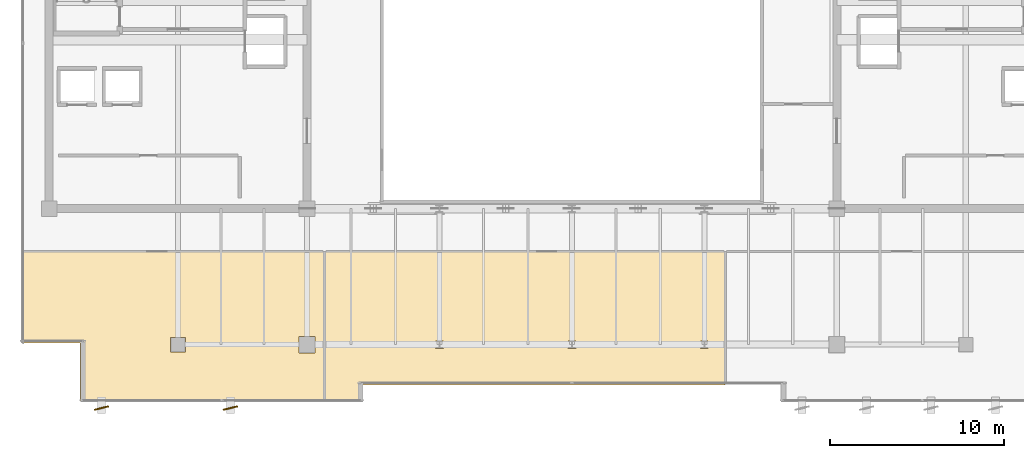
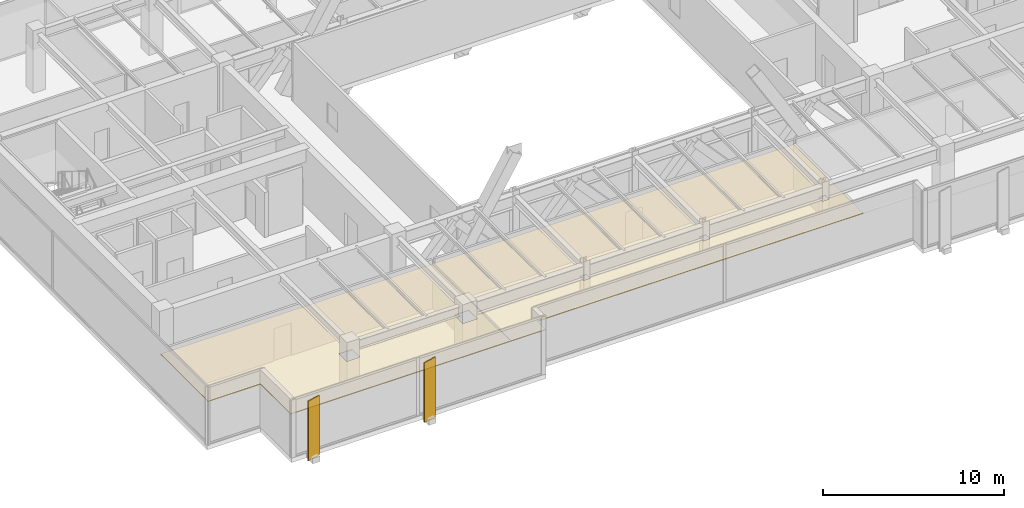
# One storey, part 29 of 32: 2 coverings, 2 shading devices.
"""IFC4 building model written with IfcOpenShell, lengths in metres."""

import ifcopenshell
import ifcopenshell.guid

model = None  # the IFC model being written
_history = None  # IfcOwnerHistory: only IFC2X3 demands one
_inside = {}  # id of a spatial element -> (the spatial element, [elements in it])
_under = {}  # id of a project, library or spatial element -> (it, [spatial elements below it])
_declared = {}  # id of a project -> (the project, [libraries it declares])
_typed = {}  # id of a type object -> (the type object, [elements of that type])
_made_of = {}  # id of a material, layer set ... -> (it, [elements and type objects made of it])


def new_model(schema):
    """Start an empty IFC model of exactly this schema.

    Asked for "IFC4X3", IfcOpenShell would pick the latest addendum, in which some entities
    have other attributes; the version numbers below select the first issue.
    IFC2X3 requires an IfcOwnerHistory on every rooted entity: one is made here for all.
    """
    global model, _history
    if schema == "IFC4X3":
        model = ifcopenshell.file(schema_version=(4, 3, 0, 0))
    else:
        model = ifcopenshell.file(schema=schema)
    _inside.clear()
    _under.clear()
    _declared.clear()
    _typed.clear()
    _made_of.clear()
    _history = None
    if model.schema == "IFC2X3":
        org = make("IfcOrganization", Name="unknown")
        user = make(
            "IfcPersonAndOrganization",
            ThePerson=make("IfcPerson", FamilyName="unknown"),
            TheOrganization=org,
        )
        app = make(
            "IfcApplication",
            ApplicationDeveloper=org,
            Version="unknown",
            ApplicationFullName="unknown",
            ApplicationIdentifier="unknown",
        )
        _history = make(
            "IfcOwnerHistory",
            OwningUser=user,
            OwningApplication=app,
            ChangeAction="ADDED",
            CreationDate=0,
        )
    return model


def make(cls, **values):
    """One entity of the class cls with the attributes given. An attribute that is None is left unset."""
    return model.create_entity(
        cls, **{name: value for name, value in values.items() if value is not None}
    )


def rooted(cls, **values):
    """An entity with a GlobalId (a new one), such as an element, a storey or a relation."""
    return make(cls, GlobalId=ifcopenshell.guid.new(), OwnerHistory=_history, **values)


def si_unit(unit_type, name, prefix=None):
    """IfcSIUnit, for example si_unit("LENGTHUNIT", "METRE", prefix="MILLI")."""
    return make("IfcSIUnit", UnitType=unit_type, Prefix=prefix, Name=name)


def assignment(units):
    """IfcUnitAssignment: the units of a project."""
    return None if units is None else make("IfcUnitAssignment", Units=units)


def point(xyz):
    """IfcCartesianPoint."""
    return None if xyz is None else make("IfcCartesianPoint", Coordinates=xyz)


def direction(xyz):
    """IfcDirection."""
    return None if xyz is None else make("IfcDirection", DirectionRatios=xyz)


def frame(location, z_axis=None, x_axis=None):
    """IfcAxis2Placement3D, a coordinate frame: its origin and axes. An axis left out is left unset."""
    return make(
        "IfcAxis2Placement3D",
        Location=point(location),
        Axis=direction(z_axis),
        RefDirection=direction(x_axis),
    )


def frame_2d(location, x_axis=None):
    """IfcAxis2Placement2D, a coordinate frame in the plane: its origin and x axis."""
    return make(
        "IfcAxis2Placement2D", Location=point(location), RefDirection=direction(x_axis)
    )


def origin():
    """The frame at (0, 0, 0) with its axes left unset."""
    return frame((0.0, 0.0, 0.0))


def origin_2d():
    """The frame at (0, 0) in the plane with its x axis left unset."""
    return frame_2d((0.0, 0.0))


def place(relative_to, where):
    """IfcLocalPlacement: puts the frame where relative to a parent placement (None: the world)."""
    return make(
        "IfcLocalPlacement", PlacementRelTo=relative_to, RelativePlacement=where
    )


def context(
    kind, dimensions, precision=None, world=None, true_north=None, identifier=None
):
    """IfcGeometricRepresentationContext, for example the 3D "Model" context."""
    return make(
        "IfcGeometricRepresentationContext",
        ContextIdentifier=identifier,
        ContextType=kind,
        CoordinateSpaceDimension=dimensions,
        Precision=precision,
        WorldCoordinateSystem=world,
        TrueNorth=true_north,
    )


def subcontext(parent, identifier, kind, view, scale=None):
    """IfcGeometricRepresentationSubContext, for example "Body" below "Model"."""
    return make(
        "IfcGeometricRepresentationSubContext",
        ContextIdentifier=identifier,
        ContextType=kind,
        ParentContext=parent,
        TargetScale=scale,
        TargetView=view,
    )


def project(units=None, contexts=None):
    """IfcProject with its units and contexts."""
    return rooted(
        "IfcProject",
        Name="project",
        RepresentationContexts=contexts,
        UnitsInContext=assignment(units),
    )


def spatial(cls, under=None, at=None, **own):
    """A site, building, storey or space (cls), placed at a placement, below another one or the project."""
    s = rooted(cls, ObjectPlacement=at, **own)
    if under is not None:
        _under.setdefault(under.id(), (under, []))[1].append(s)
    return s


def polyline(points):
    """IfcPolyline through the points."""
    return make("IfcPolyline", Points=[point(p) for p in points])


def profile(cls, at=None, kind="AREA", **sizes):
    """A parametric profile (cls). Its sizes go by their IFC names, for example OverallWidth=200.0."""
    return make(cls, ProfileType=kind, Position=at, **sizes)


def rectangle(**sizes):
    """IfcRectangleProfileDef."""
    return profile("IfcRectangleProfileDef", **sizes)


def outline(outer, holes=None, kind="AREA"):
    """IfcArbitraryClosedProfileDef: a profile drawn as a closed curve; with holes, ...WithVoids."""
    if holes is None:
        return make("IfcArbitraryClosedProfileDef", ProfileType=kind, OuterCurve=outer)
    return make(
        "IfcArbitraryProfileDefWithVoids",
        ProfileType=kind,
        OuterCurve=outer,
        InnerCurves=holes,
    )


def extrude(swept, where, along, depth):
    """IfcExtrudedAreaSolid: the profile swept, set in the frame where, extruded along a direction by depth."""
    return make(
        "IfcExtrudedAreaSolid",
        SweptArea=swept,
        Position=where,
        ExtrudedDirection=direction(along),
        Depth=depth,
    )


def shape(context_of_items, identifier, shape_type, items):
    """IfcShapeRepresentation: the items that make up one representation, for example the "Body"."""
    return make(
        "IfcShapeRepresentation",
        ContextOfItems=context_of_items,
        RepresentationIdentifier=identifier,
        RepresentationType=shape_type,
        Items=items,
    )


def source(mapping_origin, context_of_items, identifier, shape_type, items):
    """IfcRepresentationMap: a shape defined once, which mapped items show again and again."""
    return make(
        "IfcRepresentationMap",
        MappingOrigin=mapping_origin,
        MappedRepresentation=shape(context_of_items, identifier, shape_type, items),
    )


def transform(
    local_origin,
    x_axis=None,
    y_axis=None,
    z_axis=None,
    scale=None,
    scale2=None,
    scale3=None,
    uniform=True,
):
    """IfcCartesianTransformationOperator3D, or its non-uniform kind. x_axis, y_axis, z_axis: its Axis1, 2, 3."""
    if uniform:
        return make(
            "IfcCartesianTransformationOperator3D",
            Axis1=direction(x_axis),
            Axis2=direction(y_axis),
            LocalOrigin=point(local_origin),
            Scale=scale,
            Axis3=direction(z_axis),
        )
    return make(
        "IfcCartesianTransformationOperator3DnonUniform",
        Axis1=direction(x_axis),
        Axis2=direction(y_axis),
        LocalOrigin=point(local_origin),
        Scale=scale,
        Axis3=direction(z_axis),
        Scale2=scale2,
        Scale3=scale3,
    )


def mapped(mapping_source, mapping_target):
    """IfcMappedItem: shows the shape of a source again, moved by a transform."""
    return make(
        "IfcMappedItem", MappingSource=mapping_source, MappingTarget=mapping_target
    )


def material(Name=None, Category=None):
    """IfcMaterial."""
    return make("IfcMaterial", Name=Name, Category=Category)


def layer(
    of_material, thickness, ventilated=None, Name=None, Category=None, Priority=None
):
    """IfcMaterialLayer: one layer of a wall or slab, of a material (None: an air gap)."""
    return make(
        "IfcMaterialLayer",
        Material=of_material,
        LayerThickness=thickness,
        IsVentilated=ventilated,
        Name=Name,
        Category=Category,
        Priority=Priority,
    )


def layer_set(layers, Name=None):
    """IfcMaterialLayerSet."""
    return make("IfcMaterialLayerSet", MaterialLayers=layers, LayerSetName=Name)


def material_profile(
    of_material, cross_section, Name=None, Category=None, Priority=None
):
    """IfcMaterialProfile: a cross section and its material."""
    return make(
        "IfcMaterialProfile",
        Name=Name,
        Material=of_material,
        Profile=cross_section,
        Priority=Priority,
        Category=Category,
    )


def profile_set(profiles, Name=None, composite=None):
    """IfcMaterialProfileSet."""
    return make(
        "IfcMaterialProfileSet",
        Name=Name,
        MaterialProfiles=profiles,
        CompositeProfile=composite,
    )


def made_of(thing, what):
    """Note that an element or type object is made of a material, layer set ...; save() writes the relation."""
    if what is not None:
        _made_of.setdefault(what.id(), (what, []))[1].append(thing)
    return thing


def type_object(cls, material=None, **own):
    """A type object (cls), such as IfcWallType, which elements share."""
    return made_of(rooted(cls, **own), material)


def type_shapes(of_type, sources):
    """Give a type object the sources (RepresentationMaps) that its elements show as mapped items."""
    of_type.RepresentationMaps = sources


def element(
    cls,
    number,
    at=None,
    inside=None,
    cuts=None,
    type_object=None,
    material=None,
    context=None,
    identifier="Body",
    shape_type=None,
    held_by="IfcProductDefinitionShape",
    body=None,
    shapes=None,
    **own,
):
    """One element of the class cls, such as IfcWall. Its Tag is "e" and its number.

    at: its placement. inside: the storey or other place that contains it. cuts: it is an
    opening in that element (IfcRelVoidsElement). A single representation is given by context,
    identifier, shape_type and body (its items); several are given by shapes. held_by: the class
    of the entity that holds the representations. save() writes the other relations.
    """
    e = rooted(cls, Tag="e%d" % number, ObjectPlacement=at, **own)
    if body is not None:
        shapes = [shape(context, identifier, shape_type, body)]
    if shapes is not None:
        e.Representation = make(held_by, Representations=shapes)
    if inside is not None:
        _inside.setdefault(inside.id(), (inside, []))[1].append(e)
    if cuts is not None:
        rooted(
            "IfcRelVoidsElement", RelatingBuildingElement=cuts, RelatedOpeningElement=e
        )
    if type_object is not None:
        _typed.setdefault(type_object.id(), (type_object, []))[1].append(e)
    return made_of(e, material)


def aggregate(whole, parts):
    """IfcRelAggregates: a whole, such as a stair, and the parts it consists of."""
    return rooted("IfcRelAggregates", RelatingObject=whole, RelatedObjects=parts)


def save(model, path):
    """Write the relations noted so far, then the file.

    IfcRelAggregates (storeys below a building ...), IfcRelContainedInSpatialStructure (elements
    in a storey), IfcRelDefinesByType, IfcRelAssociatesMaterial and IfcRelDeclares: one each for
    every whole, place, type object, material and project.
    """
    for whole, parts in _under.values():
        aggregate(whole, parts)
    for where, things in _inside.values():
        rooted(
            "IfcRelContainedInSpatialStructure",
            RelatedElements=things,
            RelatingStructure=where,
        )
    for kind, things in _typed.values():
        rooted("IfcRelDefinesByType", RelatedObjects=things, RelatingType=kind)
    for what, things in _made_of.values():
        rooted("IfcRelAssociatesMaterial", RelatedObjects=things, RelatingMaterial=what)
    for by, libraries in _declared.values():
        rooted("IfcRelDeclares", RelatingContext=by, RelatedDefinitions=libraries)
    model.write(path)


model = new_model("IFC4")

# Units and contexts
model_context = context("Model", 3, precision=1e-05, world=origin(), true_north=direction((0.0, 1.0)))
body_context = subcontext(model_context, "Body", "Model", "MODEL_VIEW")
ifc_project = project(units=[si_unit("LENGTHUNIT", "METRE"), si_unit("AREAUNIT", "SQUARE_METRE"), si_unit("VOLUMEUNIT", "CUBIC_METRE"), si_unit("PLANEANGLEUNIT", "RADIAN"), si_unit("MASSUNIT", "GRAM", prefix="KILO")], contexts=[model_context])

# Site, building, storey
site_placement = place(None, origin())
site = spatial("IfcSite", under=ifc_project, at=site_placement, CompositionType="ELEMENT")
building_placement = place(site_placement, origin())
building = spatial("IfcBuilding", under=site, at=building_placement, Name="Haelvirn Gate Laboratories", CompositionType="ELEMENT")
storey_placement = place(building_placement, frame((0.0, 0.0, 306.0)))
storey = spatial("IfcBuildingStorey", under=building, at=storey_placement, Name="L73", CompositionType="ELEMENT", Elevation=306.0)

# Coverings
ifc_material_1 = material(Name="Washable cleanroom gasketed aluminium ceiling", Category="aluminium")
ifc_layer = layer(ifc_material_1, 0.050048828125, Name="COV-CEIL-CLN")
ifc_layer_set = layer_set([ifc_layer], Name="Washable cleanroom gasketed aluminium ceiling")
covering_type = type_object("IfcCoveringType", Name="COV-CEIL-CLN", PredefinedType="CEILING", material=ifc_layer_set)
covering_1_placement = place(storey_placement, frame((0.0, 0.0, 2.919921875)))
element("IfcCovering", 1, at=covering_1_placement, inside=storey, type_object=covering_type, Name="L73 Laboratory Acoustic Ceiling CEIL-SP-L73-S-01", PredefinedType="CEILING", context=body_context, shape_type="SweptSolid", body=[
    extrude(outline(polyline([(5.85009765625, 7.080078125), (5.85009765625, 12.330078125), (23.179931640625, 12.330078125), (23.179931640625, 3.75), (9.179931640625, 3.75), (9.179931640625, 7.080078125), (5.85009765625, 7.080078125)]), holes=[polyline([(14.3798828125, 7.419921875), (14.3798828125, 6.580078125), (15.219970703125, 6.580078125), (15.219970703125, 7.419921875), (14.3798828125, 7.419921875)]), polyline([(22.669921875, 7.469970703125), (21.72998046875, 7.469970703125), (21.72998046875, 6.530029296875), (22.669921875, 6.530029296875), (22.669921875, 7.469970703125)])]), origin(), (0.0, 0.0, 1.0), 0.050048828125),
])
covering_2_placement = place(storey_placement, frame((0.0, 0.0, 2.919921875)))
element("IfcCovering", 2, at=covering_2_placement, inside=storey, type_object=covering_type, Name="L73 Laboratory Acoustic Ceiling CEIL-SP-L73-S-02", PredefinedType="CEILING", context=body_context, shape_type="SweptSolid", body=[
    extrude(outline(polyline([(23.219970703125, 12.330078125), (46.179931640625, 12.330078125), (46.179931640625, 4.679931640625), (25.419921875, 4.679931640625), (25.419921875, 3.75), (23.219970703125, 3.75), (23.219970703125, 12.330078125)]), holes=[polyline([(29.580078125, 6.780029296875), (30.02001953125, 6.780029296875), (30.02001953125, 7.219970703125), (29.580078125, 7.219970703125), (29.580078125, 6.780029296875)]), polyline([(37.179931640625, 7.219970703125), (37.179931640625, 6.780029296875), (37.6201171875, 6.780029296875), (37.6201171875, 7.219970703125), (37.179931640625, 7.219970703125)]), polyline([(45.219970703125, 7.219970703125), (44.780029296875, 7.219970703125), (44.780029296875, 6.780029296875), (45.219970703125, 6.780029296875), (45.219970703125, 7.219970703125)])]), origin(), (0.0, 0.0, 1.0), 0.050048828125),
])

# Shading devices
ifc_material_2 = material(Name="Extruded aluminium 6063-T6 (anodised bronze)", Category="aluminium")
ifc_material_profile = material_profile(ifc_material_2, rectangle(XDim=0.074951171875, YDim=0.85009765625, at=origin_2d()), Name="FIN-850x75")
ifc_profile_set = profile_set([ifc_material_profile], Name="Extruded aluminium 6063-T6 (anodised bronze)")
shading_device_type = type_object("IfcShadingDeviceType", Name="SHD-FIN-850", PredefinedType="USERDEFINED", material=ifc_profile_set)
shared_shape = source(origin(), body_context, "Body", "SweptSolid", [
    extrude(rectangle(XDim=0.074951171875, YDim=0.85009765625, at=origin_2d()), origin(), (0.0, 0.0, 1.0), 4.02001953125),
])
type_shapes(shading_device_type, [shared_shape])
for number, where, z_axis, x_axis, name in (
    (3, (10.39990234375, 3.35498046875, -0.179931640625), (0.0, 0.0, 1.0), (-0.235142113103, 0.971961000579, 0.0), "L73 Fluted Bronze Vertical Fin S01"),
    (4, (17.800048828125, 3.35498046875, -0.179931640625), (0.0, 0.0, 1.0), (-0.235142113103, 0.971961000579, 0.0), "L73 Fluted Bronze Vertical Fin S02"),
):
    element("IfcShadingDevice", number, at=place(storey_placement, frame(where, z_axis=z_axis, x_axis=x_axis)), inside=storey, type_object=shading_device_type, Name=name, ObjectType="FIN", PredefinedType="USERDEFINED", context=body_context, shape_type="MappedRepresentation", body=[
        mapped(shared_shape, transform((0.0, 0.0, 0.0), scale=1.0)),
    ])

save(model, "model.ifc")
